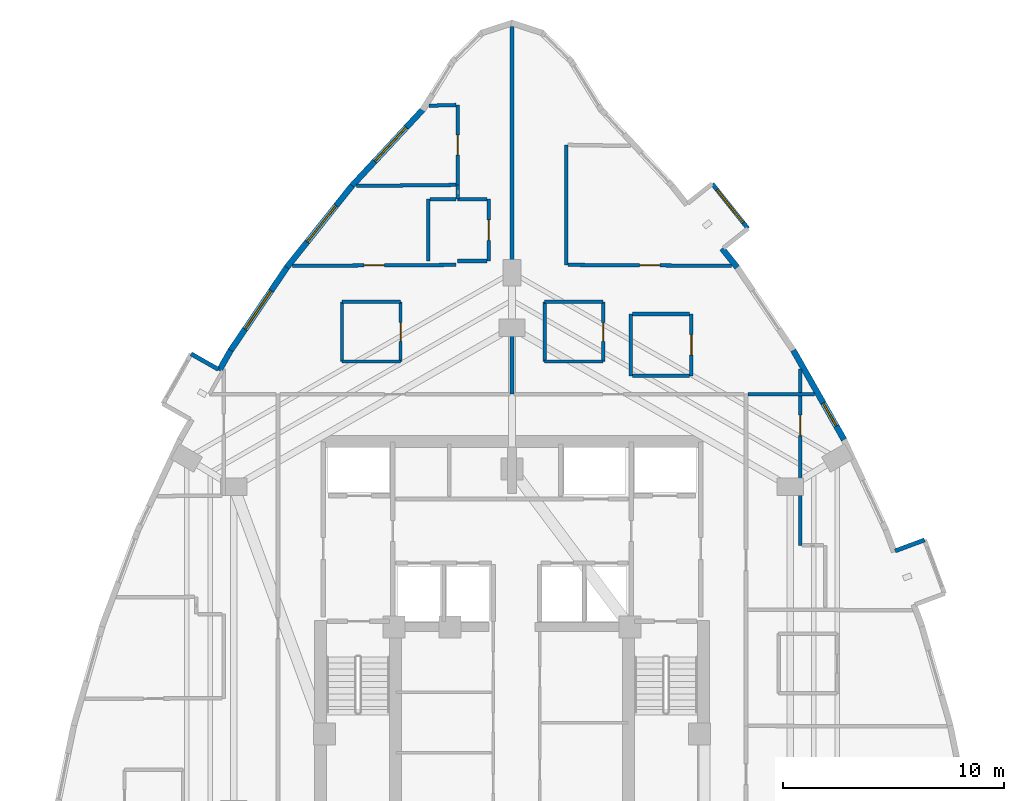
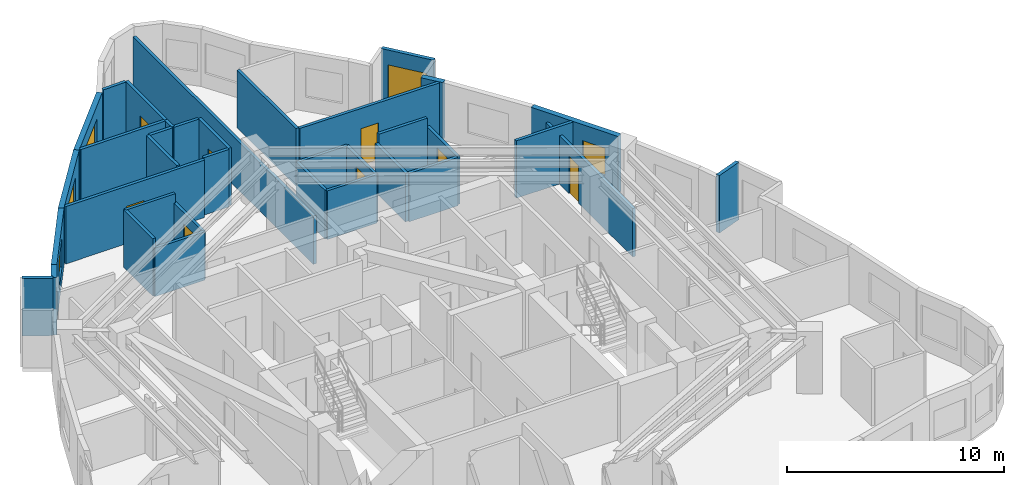
# One storey, part 10 of 12: 36 walls, 8 doors, 5 windows, 13 openings.
"""IFC4 building model written with IfcOpenShell, lengths in metres."""

from ifc_helpers import new_model, si_unit, direction, frame, frame_2d, origin, place, context, subcontext, project, spatial, rectangle, extrude, material, layer, layer_set, type_object, element, fill, save


model = new_model("IFC4")

# Units and contexts
model_context = context("Model", 3, precision=1e-05, world=origin(), true_north=direction((0.0, 1.0)))
body_context = subcontext(model_context, "Body", "Model", "MODEL_VIEW")
ifc_project = project(units=[si_unit("LENGTHUNIT", "METRE"), si_unit("AREAUNIT", "SQUARE_METRE"), si_unit("VOLUMEUNIT", "CUBIC_METRE"), si_unit("PLANEANGLEUNIT", "RADIAN"), si_unit("MASSUNIT", "GRAM", prefix="KILO")], contexts=[model_context])

# Site, building, storey
site_placement = place(None, origin())
site = spatial("IfcSite", under=ifc_project, at=site_placement, CompositionType="ELEMENT")
building_placement = place(site_placement, origin())
building = spatial("IfcBuilding", under=site, at=building_placement, Name="Miruveldt Soraemaru", CompositionType="ELEMENT")
storey_placement = place(building_placement, frame((0.0, 0.0, 107.39990234375)))
storey = spatial("IfcBuildingStorey", under=building, at=storey_placement, Name="L29", CompositionType="ELEMENT", Elevation=107.39990234375)

# Walls
ifc_material_1 = material(Name="White powder-coated aluminium EN AW-6060 T6", Category="aluminium")
ifc_layer_1 = layer(ifc_material_1, 0.18994140625, Name="White powder-coated aluminium EN AW-6060 T6", Category="aluminium")
ifc_layer_set_1 = layer_set([ifc_layer_1], Name="White powder-coated aluminium EN AW-6060 T6")
wall_type_1 = type_object("IfcWallType", Name="WALL-BAY-ALU190", PredefinedType="SOLIDWALL", material=ifc_layer_set_1)
for number, where, z_axis, x_axis, name in (
    (1, (30.7021484375, 55.720703125, 0.0), (0.0, 0.0, 1.0), (-0.869799191674, 0.493405883794, 0.0), "L29 Bay Window Side Cheek 4L"),
    (2, (62.691650390625, 47.997314453125, 0.0), (0.0, 0.0, 1.0), (-0.937073323404, -0.34913262031, 0.0), "L29 Bay Window Side Cheek 2R"),
):
    element("IfcWall", number, at=place(storey_placement, frame(where, z_axis=z_axis, x_axis=x_axis)), inside=storey, type_object=wall_type_1, Name=name, PredefinedType="SOLIDWALL", context=body_context, shape_type="SweptSolid", body=[
        extrude(rectangle(XDim=1.425048828125, YDim=0.18994140625, at=frame_2d((0.71240234375, 0.0))), origin(), (0.0, 0.0, 1.0), 3.235107421875),
    ])

# Wall, opening, window
wall_1_placement = place(storey_placement, frame((54.690673828125, 62.099365234375, 0.0), z_axis=(0.0, 0.0, 1.0), x_axis=(-0.623606546405, 0.781738367538, 0.0)))
wall_1 = element("IfcWall", 3, at=wall_1_placement, inside=storey, type_object=wall_type_1, Name="L29 Bay Window Front Frame 3", PredefinedType="SOLIDWALL", context=body_context, shape_type="SweptSolid", body=[
    extrude(rectangle(XDim=2.599853515625, YDim=0.18994140625, at=frame_2d((1.2998046875, 0.0))), origin(), (0.0, 0.0, 1.0), 3.235107421875),
])
opening_1_placement = place(wall_1_placement, frame((0.35009765625, 0.0, 0.550048828125)))
opening_1 = element("IfcOpeningElement", 4, at=opening_1_placement, cuts=wall_1, Name="Opening WN-6", PredefinedType="OPENING", context=body_context, shape_type="SweptSolid", body=[
    extrude(rectangle(XDim=1.89990234375, YDim=1.85009765625, at=frame_2d((0.949951171875, 0.925048828125))), frame((0.0, 0.10498046875, 0.0), z_axis=(0.0, -1.0, 0.0), x_axis=(1.0, 0.0, 0.0)), (0.0, 0.0, 1.0), 0.2099609375),
])
ifc_material_2 = material(Name="Triple low-e insulated glazing", Category="glass")
window_type_1 = type_object("IfcWindowType", Name="WIN-BAYW-1900x1850", PartitioningType="SINGLE_PANEL", PredefinedType="WINDOW", material=ifc_material_2)
window_1_placement = place(opening_1_placement, origin())
window_1 = element("IfcWindow", 5, at=window_1_placement, inside=storey, type_object=window_type_1, Name="L29 Projecting Bay Window 3", OverallHeight=1.85009765625, OverallWidth=1.89990234375, PartitioningType="SINGLE_PANEL", PredefinedType="WINDOW", context=body_context, shape_type="SweptSolid", body=[
    extrude(rectangle(XDim=1.89990234375, YDim=1.85009765625, at=frame_2d((0.949951171875, 0.925048828125))), frame((0.0, 0.030029296875, 0.0), z_axis=(0.0, -1.0, 0.0), x_axis=(1.0, 0.0, 0.0)), (0.0, 0.0, 1.0), 0.06005859375),
])
fill(opening_1, window_1)

ifc_material_3 = material(Name="Precast concrete C45/55 (45 MPa)", Category="concrete")
ifc_layer_2 = layer(ifc_material_3, 0.27001953125, Name="Precast concrete C45/55 (45 MPa)", Category="concrete")
ifc_layer_set_2 = layer_set([ifc_layer_2], Name="Precast concrete C45/55 (45 MPa)")
wall_type_2 = type_object("IfcWallType", Name="WALL-EXT-PC270", PredefinedType="SOLIDWALL", material=ifc_layer_set_2)
wall_2_placement = place(storey_placement, frame((39.990478515625, 67.521240234375, 0.0), z_axis=(0.0, 0.0, 1.0), x_axis=(-0.680886087192, -0.732389333803, 0.0)))
wall_2 = element("IfcWall", 6, at=wall_2_placement, inside=storey, type_object=wall_type_2, Name="L29 Precast Concrete Facade Wall 7", PredefinedType="SOLIDWALL", context=body_context, shape_type="SweptSolid", body=[
    extrude(rectangle(XDim=4.82080078125, YDim=0.27001953125, at=frame_2d((2.410400390625, 0.0))), origin(), (0.0, 0.0, 1.0), 3.235107421875),
])
opening_2_placement = place(wall_2_placement, frame((1.14404296875, 0.0, 0.800048828125)))
opening_2 = element("IfcOpeningElement", 7, at=opening_2_placement, cuts=wall_2, Name="Opening WN-1", PredefinedType="OPENING", context=body_context, shape_type="SweptSolid", body=[
    extrude(rectangle(XDim=2.10009765625, YDim=1.699951171875, at=frame_2d((1.050048828125, 0.85009765625))), frame((0.0, 0.14501953125, 0.0), z_axis=(0.0, -1.0, 0.0), x_axis=(1.0, 0.0, 0.0)), (0.0, 0.0, 1.0), 0.2900390625),
])
window_type_2 = type_object("IfcWindowType", Name="WIN-PUNCH-2100x1700", PartitioningType="SINGLE_PANEL", PredefinedType="WINDOW", material=ifc_material_2)
window_2_placement = place(opening_2_placement, origin())
window_2 = element("IfcWindow", 8, at=window_2_placement, inside=storey, type_object=window_type_2, Name="L29 Punched Triple-Glazed Window 07.1", OverallHeight=1.699951171875, OverallWidth=2.10009765625, PartitioningType="SINGLE_PANEL", PredefinedType="WINDOW", context=body_context, shape_type="SweptSolid", body=[
    extrude(rectangle(XDim=2.10009765625, YDim=1.699951171875, at=frame_2d((1.050048828125, 0.85009765625))), frame((0.0, 0.030029296875, 0.0), z_axis=(0.0, -1.0, 0.0), x_axis=(1.0, 0.0, 0.0)), (0.0, 0.0, 1.0), 0.06005859375),
])
fill(opening_2, window_2)

wall_3_placement = place(storey_placement, frame((36.753662109375, 64.043701171875, 0.0), z_axis=(0.0, 0.0, 1.0), x_axis=(-0.62358791195, -0.78175323221, 0.0)))
wall_3 = element("IfcWall", 9, at=wall_3_placement, inside=storey, type_object=wall_type_2, Name="L29 Precast Concrete Facade Wall 8", PredefinedType="SOLIDWALL", context=body_context, shape_type="SweptSolid", body=[
    extrude(rectangle(XDim=4.735595703125, YDim=0.27001953125, at=frame_2d((2.36767578125, 0.0))), origin(), (0.0, 0.0, 1.0), 3.235107421875),
])
opening_3_placement = place(wall_3_placement, frame((1.158935546875, 0.0, 0.800048828125)))
opening_3 = element("IfcOpeningElement", 10, at=opening_3_placement, cuts=wall_3, Name="Opening WN-1", PredefinedType="OPENING", context=body_context, shape_type="SweptSolid", body=[
    extrude(rectangle(XDim=2.10009765625, YDim=1.699951171875, at=frame_2d((1.050048828125, 0.85009765625))), frame((0.0, 0.14501953125, 0.0), z_axis=(0.0, -1.0, 0.0), x_axis=(1.0, 0.0, 0.0)), (0.0, 0.0, 1.0), 0.2900390625),
])
window_3_placement = place(opening_3_placement, origin())
window_3 = element("IfcWindow", 11, at=window_3_placement, inside=storey, type_object=window_type_2, Name="L29 Punched Triple-Glazed Window 08.1", OverallHeight=1.699951171875, OverallWidth=2.10009765625, PartitioningType="SINGLE_PANEL", PredefinedType="WINDOW", context=body_context, shape_type="SweptSolid", body=[
    extrude(rectangle(XDim=2.10009765625, YDim=1.699951171875, at=frame_2d((1.050048828125, 0.85009765625))), frame((0.0, 0.030029296875, 0.0), z_axis=(0.0, -1.0, 0.0), x_axis=(1.0, 0.0, 0.0)), (0.0, 0.0, 1.0), 0.06005859375),
])
fill(opening_3, window_3)

wall_4_placement = place(storey_placement, frame((33.841796875, 60.39794921875, 0.0), z_axis=(0.0, 0.0, 1.0), x_axis=(-0.560815831127, -0.827940579726, 0.0)))
wall_4 = element("IfcWall", 12, at=wall_4_placement, inside=storey, type_object=wall_type_2, Name="L29 Precast Concrete Facade Wall 9", PredefinedType="SOLIDWALL", context=body_context, shape_type="SweptSolid", body=[
    extrude(rectangle(XDim=4.677734375, YDim=0.27001953125, at=frame_2d((2.3388671875, 0.0))), origin(), (0.0, 0.0, 1.0), 3.235107421875),
])
opening_4_placement = place(wall_4_placement, frame((1.346923828125, 0.0, 0.800048828125)))
opening_4 = element("IfcOpeningElement", 13, at=opening_4_placement, cuts=wall_4, Name="Opening WN-1", PredefinedType="OPENING", context=body_context, shape_type="SweptSolid", body=[
    extrude(rectangle(XDim=2.10009765625, YDim=1.699951171875, at=frame_2d((1.050048828125, 0.85009765625))), frame((0.0, 0.14501953125, 0.0), z_axis=(0.0, -1.0, 0.0), x_axis=(1.0, 0.0, 0.0)), (0.0, 0.0, 1.0), 0.2900390625),
])
window_4_placement = place(opening_4_placement, origin())
window_4 = element("IfcWindow", 14, at=window_4_placement, inside=storey, type_object=window_type_2, Name="L29 Punched Triple-Glazed Window 09.1", OverallHeight=1.699951171875, OverallWidth=2.10009765625, PartitioningType="SINGLE_PANEL", PredefinedType="WINDOW", context=body_context, shape_type="SweptSolid", body=[
    extrude(rectangle(XDim=2.10009765625, YDim=1.699951171875, at=frame_2d((1.050048828125, 0.85009765625))), frame((0.0, 0.030029296875, 0.0), z_axis=(0.0, -1.0, 0.0), x_axis=(1.0, 0.0, 0.0)), (0.0, 0.0, 1.0), 0.06005859375),
])
fill(opening_4, window_4)

# Wall
wall_5_placement = place(storey_placement, frame((31.25537109375, 56.584716796875, 0.0), z_axis=(0.0, 0.0, 1.0), x_axis=(-0.493368864845, -0.869820190155, 0.0)))
element("IfcWall", 15, at=wall_5_placement, inside=storey, type_object=wall_type_2, Name="L29 Precast Pier Wall 10A", PredefinedType="SOLIDWALL", context=body_context, shape_type="SweptSolid", body=[
    extrude(rectangle(XDim=1.054443359375, YDim=0.27001953125, at=frame_2d((0.52734375, 0.0))), origin(), (0.0, 0.0, 1.0), 3.235107421875),
])

# Wall, opening, window
wall_6_placement = place(storey_placement, frame((59.0380859375, 52.541259765625, 0.0), z_axis=(0.0, 0.0, 1.0), x_axis=(-0.493365015051, 0.869822373778, 0.0)))
wall_6 = element("IfcWall", 16, at=wall_6_placement, inside=storey, type_object=wall_type_2, Name="L29 Precast Concrete Facade Wall 39", PredefinedType="SOLIDWALL", context=body_context, shape_type="SweptSolid", body=[
    extrude(rectangle(XDim=4.648681640625, YDim=0.27001953125, at=frame_2d((2.32421875, 0.0))), origin(), (0.0, 0.0, 1.0), 3.235107421875),
])
opening_5_placement = place(wall_6_placement, frame((0.700927734375, 0.0, 0.780029296875)))
opening_5 = element("IfcOpeningElement", 17, at=opening_5_placement, cuts=wall_6, Name="Opening WN-4", PredefinedType="OPENING", context=body_context, shape_type="SweptSolid", body=[
    extrude(rectangle(XDim=1.199951171875, YDim=1.550048828125, at=frame_2d((0.60009765625, 0.77490234375))), frame((0.0, 0.14501953125, 0.0), z_axis=(0.0, -1.0, 0.0), x_axis=(1.0, 0.0, 0.0)), (0.0, 0.0, 1.0), 0.2900390625),
])
window_type_3 = type_object("IfcWindowType", Name="WIN-PUNCH-1200x1550", PartitioningType="SINGLE_PANEL", PredefinedType="WINDOW", material=ifc_material_2)
window_5_placement = place(opening_5_placement, origin())
window_5 = element("IfcWindow", 18, at=window_5_placement, inside=storey, type_object=window_type_3, Name="L29 Punched Triple-Glazed Window 39.1", OverallHeight=1.550048828125, OverallWidth=1.199951171875, PartitioningType="SINGLE_PANEL", PredefinedType="WINDOW", context=body_context, shape_type="SweptSolid", body=[
    extrude(rectangle(XDim=1.199951171875, YDim=1.550048828125, at=frame_2d((0.60009765625, 0.77490234375))), frame((0.0, 0.030029296875, 0.0), z_axis=(0.0, -1.0, 0.0), x_axis=(1.0, 0.0, 0.0)), (0.0, 0.0, 1.0), 0.06005859375),
])
fill(opening_5, window_5)

# Wall
wall_7_placement = place(storey_placement, frame((54.199462890625, 60.341552734375, 0.0), z_axis=(0.0, 0.0, 1.0), x_axis=(-0.623609566666, 0.781735958213, 0.0)))
element("IfcWall", 19, at=wall_7_placement, inside=storey, type_object=wall_type_2, Name="L29 Precast Pier Wall 41A", PredefinedType="SOLIDWALL", context=body_context, shape_type="SweptSolid", body=[
    extrude(rectangle(XDim=1.09765625, YDim=0.27001953125, at=frame_2d((0.548828125, 0.0))), origin(), (0.0, 0.0, 1.0), 3.235107421875),
])

# Wall, opening, door
ifc_material_4 = material(Name="Gypsum plasterboard lining", Category="gypsum")
ifc_layer_3 = layer(ifc_material_4, 0.14990234375, Name="Gypsum plasterboard lining", Category="gypsum")
ifc_layer_set_3 = layer_set([ifc_layer_3], Name="Gypsum plasterboard lining")
wall_type_3 = type_object("IfcWallType", Name="WALL-INT-PLUMB", PredefinedType="PLUMBINGWALL", material=ifc_layer_set_3)
wall_8_placement = place(storey_placement, frame((38.952880859375, 56.080078125, 0.0), z_axis=(0.0, 0.0, 1.0), x_axis=(0.0, 1.0, 0.0)))
wall_8 = element("IfcWall", 20, at=wall_8_placement, inside=storey, type_object=wall_type_3, Name="L29 Partition Wall 9", PredefinedType="PLUMBINGWALL", context=body_context, shape_type="SweptSolid", body=[
    extrude(rectangle(XDim=2.699951171875, YDim=0.14990234375, at=frame_2d((1.35009765625, 0.0))), origin(), (0.0, 0.0, 1.0), 2.72314453125),
])
opening_6_placement = place(wall_8_placement, frame((0.909912109375, 0.0, 0.0)))
opening_6 = element("IfcOpeningElement", 21, at=opening_6_placement, cuts=wall_8, Name="Opening FD3", PredefinedType="OPENING", context=body_context, shape_type="SweptSolid", body=[
    extrude(rectangle(XDim=0.85009765625, YDim=2.10009765625, at=frame_2d((0.425048828125, 1.050048828125))), frame((0.0, 0.0849609375, 0.0), z_axis=(0.0, -1.0, 0.0), x_axis=(1.0, 0.0, 0.0)), (0.0, 0.0, 1.0), 0.169921875),
])
ifc_material_5 = material(Name="Anodised aluminium EN AW-6063 T6", Category="aluminium")
door_type_1 = type_object("IfcDoorType", Name="DOOR-FD3-850", OperationType="NOTDEFINED", PredefinedType="DOOR", material=ifc_material_5)
door_1_placement = place(opening_6_placement, origin())
door_1 = element("IfcDoor", 22, at=door_1_placement, inside=storey, type_object=door_type_1, Name="L29 Unit 2901 BTH Door", OperationType="SINGLE_SWING_RIGHT", OverallHeight=2.10009765625, OverallWidth=0.85009765625, PredefinedType="DOOR", context=body_context, shape_type="SweptSolid", body=[
    extrude(rectangle(XDim=0.85009765625, YDim=2.10009765625, at=frame_2d((0.425048828125, 1.050048828125))), frame((0.0, 0.02490234375, 0.0), z_axis=(0.0, -1.0, 0.0), x_axis=(1.0, 0.0, 0.0)), (0.0, 0.0, 1.0), 0.050048828125),
])
fill(opening_6, door_1)

wall_9_placement = place(storey_placement, frame((48.1298828125, 56.080078125, 0.0), z_axis=(0.0, 0.0, 1.0), x_axis=(0.0, 1.0, 0.0)))
wall_9 = element("IfcWall", 23, at=wall_9_placement, inside=storey, type_object=wall_type_3, Name="L29 Partition Wall 25", PredefinedType="PLUMBINGWALL", context=body_context, shape_type="SweptSolid", body=[
    extrude(rectangle(XDim=2.699951171875, YDim=0.14990234375, at=frame_2d((1.35009765625, 0.0))), origin(), (0.0, 0.0, 1.0), 2.72314453125),
])
opening_7_placement = place(wall_9_placement, frame((0.909912109375, 0.0, 0.0)))
opening_7 = element("IfcOpeningElement", 24, at=opening_7_placement, cuts=wall_9, Name="Opening FD3", PredefinedType="OPENING", context=body_context, shape_type="SweptSolid", body=[
    extrude(rectangle(XDim=0.85009765625, YDim=2.10009765625, at=frame_2d((0.425048828125, 1.050048828125))), frame((0.0, 0.0849609375, 0.0), z_axis=(0.0, -1.0, 0.0), x_axis=(1.0, 0.0, 0.0)), (0.0, 0.0, 1.0), 0.169921875),
])
door_2_placement = place(opening_7_placement, origin())
door_2 = element("IfcDoor", 25, at=door_2_placement, inside=storey, type_object=door_type_1, Name="L29 Unit 2902 BTH Door", OperationType="SINGLE_SWING_LEFT", OverallHeight=2.10009765625, OverallWidth=0.85009765625, PredefinedType="DOOR", context=body_context, shape_type="SweptSolid", body=[
    extrude(rectangle(XDim=0.85009765625, YDim=2.10009765625, at=frame_2d((0.425048828125, 1.050048828125))), frame((0.0, 0.02490234375, 0.0), z_axis=(0.0, -1.0, 0.0), x_axis=(1.0, 0.0, 0.0)), (0.0, 0.0, 1.0), 0.050048828125),
])
fill(opening_7, door_2)

# Walls
wall_10_placement = place(storey_placement, frame((36.302978515625, 58.780029296875, 0.0), z_axis=(0.0, 0.0, 1.0), x_axis=(0.0, -1.0, 0.0)))
element("IfcWall", 26, at=wall_10_placement, inside=storey, type_object=wall_type_3, Name="L29 Partition Wall 11", PredefinedType="PLUMBINGWALL", context=body_context, shape_type="SweptSolid", body=[
    extrude(rectangle(XDim=2.699951171875, YDim=0.14990234375, at=frame_2d((1.35009765625, 0.0))), origin(), (0.0, 0.0, 1.0), 3.235107421875),
])
wall_11_placement = place(storey_placement, frame((45.47998046875, 58.780029296875, 0.0), z_axis=(0.0, 0.0, 1.0), x_axis=(0.0, -1.0, 0.0)))
element("IfcWall", 27, at=wall_11_placement, inside=storey, type_object=wall_type_3, Name="L29 Partition Wall 27", PredefinedType="PLUMBINGWALL", context=body_context, shape_type="SweptSolid", body=[
    extrude(rectangle(XDim=2.699951171875, YDim=0.14990234375, at=frame_2d((1.35009765625, 0.0))), origin(), (0.0, 0.0, 1.0), 2.735107421875),
])
wall_12_placement = place(storey_placement, frame((38.952880859375, 58.780029296875, 0.0), z_axis=(0.0, 0.0, 1.0), x_axis=(-1.0, 0.0, 0.0)))
element("IfcWall", 28, at=wall_12_placement, inside=storey, type_object=wall_type_3, Name="L29 Partition Wall 10", PredefinedType="PLUMBINGWALL", context=body_context, shape_type="SweptSolid", body=[
    extrude(rectangle(XDim=2.64990234375, YDim=0.14990234375, at=frame_2d((1.324951171875, 0.0))), origin(), (0.0, 0.0, 1.0), 3.235107421875),
])
for number, where, z_axis, x_axis, name in (
    (29, (36.302978515625, 56.080078125, 0.0), (0.0, 0.0, 1.0), (1.0, 0.0, 0.0), "L29 Partition Wall 12"),
    (30, (48.1298828125, 58.780029296875, 0.0), (0.0, 0.0, 1.0), (-1.0, 0.0, 0.0), "L29 Partition Wall 26"),
):
    element("IfcWall", number, at=place(storey_placement, frame(where, z_axis=z_axis, x_axis=x_axis)), inside=storey, type_object=wall_type_3, Name=name, PredefinedType="PLUMBINGWALL", context=body_context, shape_type="SweptSolid", body=[
        extrude(rectangle(XDim=2.64990234375, YDim=0.14990234375, at=frame_2d((1.324951171875, 0.0))), origin(), (0.0, 0.0, 1.0), 2.72314453125),
    ])
wall_13_placement = place(storey_placement, frame((45.47998046875, 56.080078125, 0.0), z_axis=(0.0, 0.0, 1.0), x_axis=(1.0, 0.0, 0.0)))
element("IfcWall", 31, at=wall_13_placement, inside=storey, type_object=wall_type_3, Name="L29 Partition Wall 28", PredefinedType="PLUMBINGWALL", context=body_context, shape_type="SweptSolid", body=[
    extrude(rectangle(XDim=2.64990234375, YDim=0.14990234375, at=frame_2d((1.324951171875, 0.0))), origin(), (0.0, 0.0, 1.0), 2.735107421875),
])

# Wall, opening, door
ifc_material_6 = material(Name="Concrete C40/50 (40 MPa)", Category="concrete")
ifc_layer_4 = layer(ifc_material_6, 0.159912109375, Name="Concrete C40/50 (40 MPa)", Category="concrete")
ifc_layer_set_4 = layer_set([ifc_layer_4], Name="Concrete C40/50 (40 MPa)")
wall_type_4 = type_object("IfcWallType", Name="WALL-INT-RC160", PredefinedType="SOLIDWALL", material=ifc_layer_set_4)
wall_14_placement = place(storey_placement, frame((57.050048828125, 47.7490234375, 0.0), z_axis=(0.0, 0.0, 1.0), x_axis=(0.0, 1.0, 0.0)))
wall_14 = element("IfcWall", 32, at=wall_14_placement, inside=storey, type_object=wall_type_4, Name="L29 Partition Wall 65", PredefinedType="SOLIDWALL", context=body_context, shape_type="SweptSolid", body=[
    extrude(rectangle(XDim=7.992919921875, YDim=0.159912109375, at=frame_2d((3.99658203125, 0.0))), origin(), (0.0, 0.0, 1.0), 2.72314453125),
])
opening_8_placement = place(wall_14_placement, frame((4.97607421875, 0.0, 0.0)))
opening_8 = element("IfcOpeningElement", 33, at=opening_8_placement, cuts=wall_14, Name="Opening D3A", PredefinedType="OPENING", context=body_context, shape_type="SweptSolid", body=[
    extrude(rectangle(XDim=0.919921875, YDim=2.10009765625, at=frame_2d((0.4599609375, 1.050048828125))), frame((0.0, 0.08984375, 0.0), z_axis=(0.0, -1.0, 0.0), x_axis=(1.0, 0.0, 0.0)), (0.0, 0.0, 1.0), 0.179931640625),
])
door_type_2 = type_object("IfcDoorType", Name="DOOR-INT-920", OperationType="NOTDEFINED", PredefinedType="DOOR", material=ifc_material_5)
door_3_placement = place(opening_8_placement, origin())
door_3 = element("IfcDoor", 34, at=door_3_placement, inside=storey, type_object=door_type_2, Name="L29 Unit 2905 BD1 Door", OperationType="SINGLE_SWING_LEFT", OverallHeight=2.10009765625, OverallWidth=0.919921875, PredefinedType="DOOR", context=body_context, shape_type="SweptSolid", body=[
    extrude(rectangle(XDim=0.919921875, YDim=2.10009765625, at=frame_2d((0.4599609375, 1.050048828125))), frame((0.0, 0.02490234375, 0.0), z_axis=(0.0, -1.0, 0.0), x_axis=(1.0, 0.0, 0.0)), (0.0, 0.0, 1.0), 0.050048828125),
])
fill(opening_8, door_3)

wall_15_placement = place(storey_placement, frame((41.469970703125, 60.452880859375, 0.0), z_axis=(0.0, 0.0, 1.0), x_axis=(-0.999983245828, -0.005788615026, 0.0)))
wall_15 = element("IfcWall", 35, at=wall_15_placement, inside=storey, type_object=wall_type_4, Name="L29 Partition Wall 17", PredefinedType="SOLIDWALL", context=body_context, shape_type="SweptSolid", body=[
    extrude(rectangle(XDim=7.423095703125, YDim=0.159912109375, at=frame_2d((3.71142578125, 0.0))), origin(), (0.0, 0.0, 1.0), 3.235107421875),
])
opening_9_placement = place(wall_15_placement, frame((3.251953125, 0.0, 0.0)))
opening_9 = element("IfcOpeningElement", 36, at=opening_9_placement, cuts=wall_15, Name="Opening D3A", PredefinedType="OPENING", context=body_context, shape_type="SweptSolid", body=[
    extrude(rectangle(XDim=0.919921875, YDim=2.10009765625, at=frame_2d((0.4599609375, 1.050048828125))), frame((0.0, 0.08984375, 0.0), z_axis=(0.0, -1.0, 0.0), x_axis=(1.0, 0.0, 0.0)), (0.0, 0.0, 1.0), 0.179931640625),
])
door_4_placement = place(opening_9_placement, origin())
door_4 = element("IfcDoor", 37, at=door_4_placement, inside=storey, type_object=door_type_2, Name="L29 Unit 2901 BD1 Door", OperationType="SINGLE_SWING_RIGHT", OverallHeight=2.10009765625, OverallWidth=0.919921875, PredefinedType="DOOR", context=body_context, shape_type="SweptSolid", body=[
    extrude(rectangle(XDim=0.919921875, YDim=2.10009765625, at=frame_2d((0.4599609375, 1.050048828125))), frame((0.0, 0.02490234375, 0.0), z_axis=(0.0, -1.0, 0.0), x_axis=(1.0, 0.0, 0.0)), (0.0, 0.0, 1.0), 0.050048828125),
])
fill(opening_9, door_4)

wall_16_placement = place(storey_placement, frame((53.952880859375, 60.409912109375, 0.0), z_axis=(0.0, 0.0, 1.0), x_axis=(-0.999983245828, 0.005788615026, 0.0)))
wall_16 = element("IfcWall", 38, at=wall_16_placement, inside=storey, type_object=wall_type_4, Name="L29 Partition Wall 33", PredefinedType="SOLIDWALL", context=body_context, shape_type="SweptSolid", body=[
    extrude(rectangle(XDim=7.423095703125, YDim=0.159912109375, at=frame_2d((3.71142578125, 0.0))), origin(), (0.0, 0.0, 1.0), 3.235107421875),
])
opening_10_placement = place(wall_16_placement, frame((3.251953125, 0.0, 0.0)))
opening_10 = element("IfcOpeningElement", 39, at=opening_10_placement, cuts=wall_16, Name="Opening D3A", PredefinedType="OPENING", context=body_context, shape_type="SweptSolid", body=[
    extrude(rectangle(XDim=0.919921875, YDim=2.10009765625, at=frame_2d((0.4599609375, 1.050048828125))), frame((0.0, 0.08984375, 0.0), z_axis=(0.0, -1.0, 0.0), x_axis=(1.0, 0.0, 0.0)), (0.0, 0.0, 1.0), 0.179931640625),
])
door_5_placement = place(opening_10_placement, origin())
door_5 = element("IfcDoor", 40, at=door_5_placement, inside=storey, type_object=door_type_2, Name="L29 Unit 2902 BD1 Door", OperationType="SINGLE_SWING_LEFT", OverallHeight=2.10009765625, OverallWidth=0.919921875, PredefinedType="DOOR", context=body_context, shape_type="SweptSolid", body=[
    extrude(rectangle(XDim=0.919921875, YDim=2.10009765625, at=frame_2d((0.4599609375, 1.050048828125))), frame((0.0, 0.02490234375, 0.0), z_axis=(0.0, -1.0, 0.0), x_axis=(1.0, 0.0, 0.0)), (0.0, 0.0, 1.0), 0.050048828125),
])
fill(opening_10, door_5)

wall_17_placement = place(storey_placement, frame((41.550048828125, 67.699951171875, 0.0), z_axis=(0.0, 0.0, 1.0), x_axis=(0.0, -1.0, 0.0)))
wall_17 = element("IfcWall", 41, at=wall_17_placement, inside=storey, type_object=wall_type_4, Name="L29 Partition Wall 19", PredefinedType="SOLIDWALL", context=body_context, shape_type="SweptSolid", body=[
    extrude(rectangle(XDim=3.623046875, YDim=0.159912109375, at=frame_2d((1.8115234375, 0.0))), origin(), (0.0, 0.0, 1.0), 3.235107421875),
])
opening_11_placement = place(wall_17_placement, frame((1.35205078125, 0.0, 0.0)))
opening_11 = element("IfcOpeningElement", 42, at=opening_11_placement, cuts=wall_17, Name="Opening D3A", PredefinedType="OPENING", context=body_context, shape_type="SweptSolid", body=[
    extrude(rectangle(XDim=0.919921875, YDim=2.10009765625, at=frame_2d((0.4599609375, 1.050048828125))), frame((0.0, 0.08984375, 0.0), z_axis=(0.0, -1.0, 0.0), x_axis=(1.0, 0.0, 0.0)), (0.0, 0.0, 1.0), 0.179931640625),
])
door_6_placement = place(opening_11_placement, origin())
door_6 = element("IfcDoor", 43, at=door_6_placement, inside=storey, type_object=door_type_2, Name="L29 Unit 2901 BD2 Door", OperationType="SINGLE_SWING_LEFT", OverallHeight=2.10009765625, OverallWidth=0.919921875, PredefinedType="DOOR", context=body_context, shape_type="SweptSolid", body=[
    extrude(rectangle(XDim=0.919921875, YDim=2.10009765625, at=frame_2d((0.4599609375, 1.050048828125))), frame((0.0, 0.02490234375, 0.0), z_axis=(0.0, -1.0, 0.0), x_axis=(1.0, 0.0, 0.0)), (0.0, 0.0, 1.0), 0.050048828125),
])
fill(opening_11, door_6)

wall_18_placement = place(storey_placement, frame((42.952880859375, 60.6298828125, 0.0), z_axis=(0.0, 0.0, 1.0), x_axis=(0.0, 1.0, 0.0)))
wall_18 = element("IfcWall", 44, at=wall_18_placement, inside=storey, type_object=wall_type_4, Name="L29 Partition Wall 13", PredefinedType="SOLIDWALL", context=body_context, shape_type="SweptSolid", body=[
    extrude(rectangle(XDim=2.800048828125, YDim=0.159912109375, at=frame_2d((1.39990234375, 0.0))), origin(), (0.0, 0.0, 1.0), 3.235107421875),
])
opening_12_placement = place(wall_18_placement, frame((0.93994140625, 0.0, 0.0)))
opening_12 = element("IfcOpeningElement", 45, at=opening_12_placement, cuts=wall_18, Name="Opening D3A", PredefinedType="OPENING", context=body_context, shape_type="SweptSolid", body=[
    extrude(rectangle(XDim=0.919921875, YDim=2.10009765625, at=frame_2d((0.4599609375, 1.050048828125))), frame((0.0, 0.08984375, 0.0), z_axis=(0.0, -1.0, 0.0), x_axis=(1.0, 0.0, 0.0)), (0.0, 0.0, 1.0), 0.179931640625),
])
door_7_placement = place(opening_12_placement, origin())
door_7 = element("IfcDoor", 46, at=door_7_placement, inside=storey, type_object=door_type_2, Name="L29 Unit 2901 KIT Door", OperationType="SINGLE_SWING_LEFT", OverallHeight=2.10009765625, OverallWidth=0.919921875, PredefinedType="DOOR", context=body_context, shape_type="SweptSolid", body=[
    extrude(rectangle(XDim=0.919921875, YDim=2.10009765625, at=frame_2d((0.4599609375, 1.050048828125))), frame((0.0, 0.02490234375, 0.0), z_axis=(0.0, -1.0, 0.0), x_axis=(1.0, 0.0, 0.0)), (0.0, 0.0, 1.0), 0.050048828125),
])
fill(opening_12, door_7)

wall_19_placement = place(storey_placement, frame((52.1298828125, 55.429931640625, 0.0), z_axis=(0.0, 0.0, 1.0), x_axis=(0.0, 1.0, 0.0)))
wall_19 = element("IfcWall", 47, at=wall_19_placement, inside=storey, type_object=wall_type_4, Name="L29 Partition Wall 29", PredefinedType="SOLIDWALL", context=body_context, shape_type="SweptSolid", body=[
    extrude(rectangle(XDim=2.800048828125, YDim=0.159912109375, at=frame_2d((1.39990234375, 0.0))), origin(), (0.0, 0.0, 1.0), 2.72314453125),
])
opening_13_placement = place(wall_19_placement, frame((0.93994140625, 0.0, 0.0)))
opening_13 = element("IfcOpeningElement", 48, at=opening_13_placement, cuts=wall_19, Name="Opening D3A", PredefinedType="OPENING", context=body_context, shape_type="SweptSolid", body=[
    extrude(rectangle(XDim=0.919921875, YDim=2.10009765625, at=frame_2d((0.4599609375, 1.050048828125))), frame((0.0, 0.08984375, 0.0), z_axis=(0.0, -1.0, 0.0), x_axis=(1.0, 0.0, 0.0)), (0.0, 0.0, 1.0), 0.179931640625),
])
door_8_placement = place(opening_13_placement, origin())
door_8 = element("IfcDoor", 49, at=door_8_placement, inside=storey, type_object=door_type_2, Name="L29 Unit 2902 KIT Door", OperationType="SINGLE_SWING_RIGHT", OverallHeight=2.10009765625, OverallWidth=0.919921875, PredefinedType="DOOR", context=body_context, shape_type="SweptSolid", body=[
    extrude(rectangle(XDim=0.919921875, YDim=2.10009765625, at=frame_2d((0.4599609375, 1.050048828125))), frame((0.0, 0.02490234375, 0.0), z_axis=(0.0, -1.0, 0.0), x_axis=(1.0, 0.0, 0.0)), (0.0, 0.0, 1.0), 0.050048828125),
])
fill(opening_13, door_8)

# Walls
wall_20_placement = place(storey_placement, frame((44.0, 54.60009765625, 0.0), z_axis=(0.0, 0.0, 1.0), x_axis=(0.0, 1.0, 0.0)))
element("IfcWall", 50, at=wall_20_placement, inside=storey, type_object=wall_type_4, Name="L29 Partition Wall 20", PredefinedType="SOLIDWALL", context=body_context, shape_type="SweptSolid", body=[
    extrude(rectangle(XDim=16.64990234375, YDim=0.159912109375, at=frame_2d((8.324951171875, 0.0))), origin(), (0.0, 0.0, 1.0), 2.72314453125),
])
wall_21_placement = place(storey_placement, frame((46.449951171875, 60.452880859375, 0.0), z_axis=(0.0, 0.0, 1.0), x_axis=(0.0, 1.0, 0.0)))
element("IfcWall", 51, at=wall_21_placement, inside=storey, type_object=wall_type_4, Name="L29 Partition Wall 34", PredefinedType="SOLIDWALL", context=body_context, shape_type="SweptSolid", body=[
    extrude(rectangle(XDim=5.43603515625, YDim=0.159912109375, at=frame_2d((2.718017578125, 0.0))), origin(), (0.0, 0.0, 1.0), 3.235107421875),
])
wall_22_placement = place(storey_placement, frame((41.469970703125, 64.075927734375, 0.0), z_axis=(0.0, 0.0, 1.0), x_axis=(-0.999946253611, -0.010367733054, 0.0)))
element("IfcWall", 52, at=wall_22_placement, inside=storey, type_object=wall_type_4, Name="L29 Partition Wall 24", PredefinedType="SOLIDWALL", context=body_context, shape_type="SweptSolid", body=[
    extrude(rectangle(XDim=4.521240234375, YDim=0.159912109375, at=frame_2d((2.2607421875, 0.0))), origin(), (0.0, 0.0, 1.0), 3.235107421875),
])
wall_23_placement = place(storey_placement, frame((54.68505859375, 54.60009765625, 0.0), z_axis=(0.0, 0.0, 1.0), x_axis=(1.0, 0.0, 0.0)))
element("IfcWall", 53, at=wall_23_placement, inside=storey, type_object=wall_type_4, Name="L29 Partition Wall 36", PredefinedType="SOLIDWALL", context=body_context, shape_type="SweptSolid", body=[
    extrude(rectangle(XDim=3.012939453125, YDim=0.159912109375, at=frame_2d((1.50634765625, 0.0))), origin(), (0.0, 0.0, 1.0), 3.235107421875),
])
wall_24_placement = place(storey_placement, frame((40.202880859375, 63.429931640625, 0.0), z_axis=(0.0, 0.0, 1.0), x_axis=(0.0, -1.0, 0.0)))
element("IfcWall", 54, at=wall_24_placement, inside=storey, type_object=wall_type_4, Name="L29 Partition Wall 23", PredefinedType="SOLIDWALL", context=body_context, shape_type="SweptSolid", body=[
    extrude(rectangle(XDim=2.800048828125, YDim=0.159912109375, at=frame_2d((1.39990234375, 0.0))), origin(), (0.0, 0.0, 1.0), 3.235107421875),
])
wall_25_placement = place(storey_placement, frame((49.3798828125, 58.22998046875, 0.0), z_axis=(0.0, 0.0, 1.0), x_axis=(0.0, -1.0, 0.0)))
element("IfcWall", 55, at=wall_25_placement, inside=storey, type_object=wall_type_4, Name="L29 Partition Wall 31", PredefinedType="SOLIDWALL", context=body_context, shape_type="SweptSolid", body=[
    extrude(rectangle(XDim=2.800048828125, YDim=0.159912109375, at=frame_2d((1.39990234375, 0.0))), origin(), (0.0, 0.0, 1.0), 2.72314453125),
])
wall_26_placement = place(storey_placement, frame((52.050048828125, 58.22998046875, 0.0), z_axis=(0.0, 0.0, 1.0), x_axis=(-1.0, 0.0, 0.0)))
element("IfcWall", 56, at=wall_26_placement, inside=storey, type_object=wall_type_4, Name="L29 Partition Wall 30", PredefinedType="SOLIDWALL", context=body_context, shape_type="SweptSolid", body=[
    extrude(rectangle(XDim=2.590087890625, YDim=0.159912109375, at=frame_2d((1.294921875, 0.0))), origin(), (0.0, 0.0, 1.0), 3.235107421875),
])
wall_27_placement = place(storey_placement, frame((49.4599609375, 55.429931640625, 0.0), z_axis=(0.0, 0.0, 1.0), x_axis=(1.0, 0.0, 0.0)))
element("IfcWall", 57, at=wall_27_placement, inside=storey, type_object=wall_type_4, Name="L29 Partition Wall 32", PredefinedType="SOLIDWALL", context=body_context, shape_type="SweptSolid", body=[
    extrude(rectangle(XDim=2.590087890625, YDim=0.159912109375, at=frame_2d((1.294921875, 0.0))), origin(), (0.0, 0.0, 1.0), 2.72314453125),
])
for number, where, z_axis, x_axis, name in (
    (58, (42.873046875, 63.429931640625, 0.0), (0.0, 0.0, 1.0), (-1.0, 0.0, 0.0), "L29 Partition Wall 14"),
    (59, (41.5400390625, 60.6298828125, 0.0), (0.0, 0.0, 1.0), (1.0, 0.0, 0.0), "L29 Partition Wall 15"),
):
    element("IfcWall", number, at=place(storey_placement, frame(where, z_axis=z_axis, x_axis=x_axis)), inside=storey, type_object=wall_type_4, Name=name, PredefinedType="SOLIDWALL", context=body_context, shape_type="SweptSolid", body=[
        extrude(rectangle(XDim=1.3330078125, YDim=0.159912109375, at=frame_2d((0.66650390625, 0.0))), origin(), (0.0, 0.0, 1.0), 3.235107421875),
    ])
wall_28_placement = place(storey_placement, frame((40.2470703125, 67.6630859375, 0.0), z_axis=(0.0, 0.0, 1.0), x_axis=(0.999592737292, 0.028536985712, 0.0)))
element("IfcWall", 60, at=wall_28_placement, inside=storey, type_object=wall_type_4, Name="L29 Partition Wall 18", PredefinedType="SOLIDWALL", context=body_context, shape_type="SweptSolid", body=[
    extrude(rectangle(XDim=1.223388671875, YDim=0.159912109375, at=frame_2d((0.61181640625, 0.0))), origin(), (0.0, 0.0, 1.0), 3.235107421875),
])
wall_29_placement = place(storey_placement, frame((41.469970703125, 63.429931640625, 0.0), z_axis=(0.0, 0.0, 1.0), x_axis=(-1.0, 0.0, 0.0)))
element("IfcWall", 61, at=wall_29_placement, inside=storey, type_object=wall_type_4, Name="L29 Partition Wall 22", PredefinedType="SOLIDWALL", context=body_context, shape_type="SweptSolid", body=[
    extrude(rectangle(XDim=1.18701171875, YDim=0.159912109375, at=frame_2d((0.593505859375, 0.0))), origin(), (0.0, 0.0, 1.0), 3.235107421875),
])
wall_30_placement = place(storey_placement, frame((41.550048828125, 64.076904296875, 0.0), z_axis=(0.0, 0.0, 1.0), x_axis=(0.0, -1.0, 0.0)))
element("IfcWall", 62, at=wall_30_placement, inside=storey, type_object=wall_type_4, Name="L29 Partition Wall 16", PredefinedType="SOLIDWALL", context=body_context, shape_type="SweptSolid", body=[
    extrude(rectangle(XDim=0.64697265625, YDim=0.159912109375, at=frame_2d((0.323486328125, 0.0))), origin(), (0.0, 0.0, 1.0), 3.235107421875),
])

save(model, "model.ifc")
